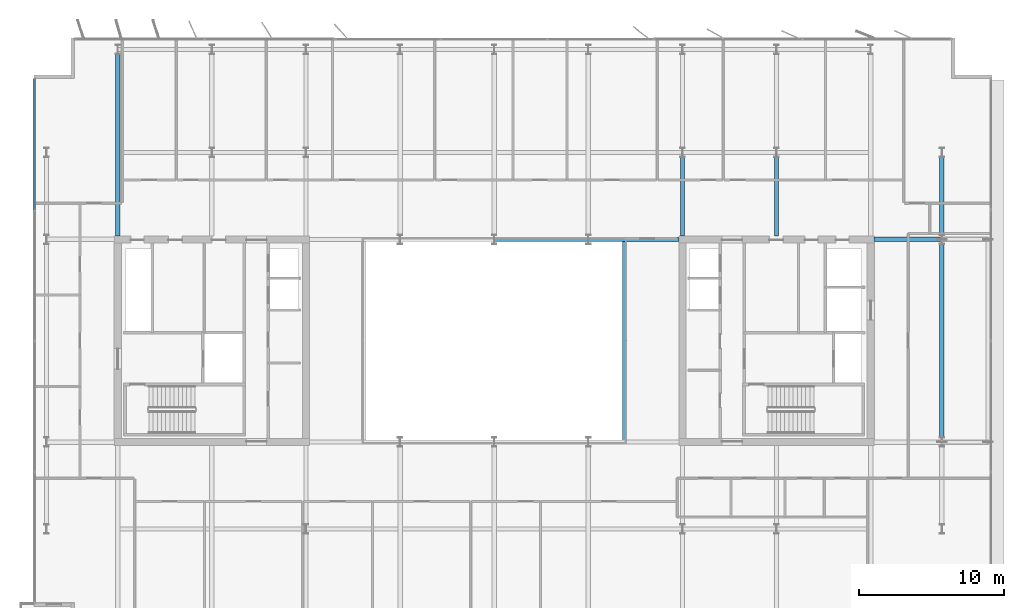
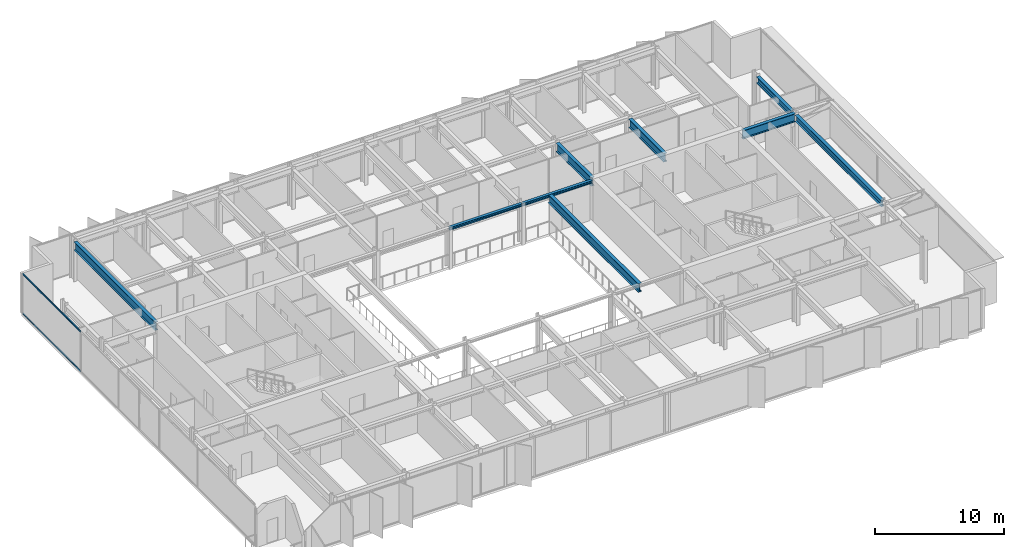
# One storey, part 7 of 20: 9 beams, 2 members, 1 element without a shape of its own.
"""IFC4 building model written with IfcOpenShell, lengths in metres."""

from ifc_helpers import new_model, si_unit, direction, frame, origin, origin_2d, place, context, subcontext, project, spatial, rectangle, i_section, extrude, material, layer, layer_set, material_profile, profile_set, type_object, element, aggregate, save


model = new_model("IFC4")

# Units and contexts
model_context = context("Model", 3, precision=1e-05, world=origin(), true_north=direction((0.0, 1.0)))
body_context = subcontext(model_context, "Body", "Model", "MODEL_VIEW")
ifc_project = project(units=[si_unit("LENGTHUNIT", "METRE"), si_unit("AREAUNIT", "SQUARE_METRE"), si_unit("VOLUMEUNIT", "CUBIC_METRE"), si_unit("PLANEANGLEUNIT", "RADIAN"), si_unit("MASSUNIT", "GRAM", prefix="KILO")], contexts=[model_context])

# Site, building, storey
site_placement = place(None, origin())
site = spatial("IfcSite", under=ifc_project, at=site_placement, CompositionType="ELEMENT")
building_placement = place(site_placement, origin())
building = spatial("IfcBuilding", under=site, at=building_placement, Name="Putna Gate Headquarters", CompositionType="ELEMENT")
storey_placement = place(building_placement, frame((0.0, 0.0, 290.39990234375)))
storey = spatial("IfcBuildingStorey", under=building, at=storey_placement, Name="L73", CompositionType="ELEMENT", Elevation=290.39990234375)

# Beams
ifc_material_1 = material(Name="Steel S355J2", Category="steel")
ifc_material_profile_1 = material_profile(ifc_material_1, i_section(OverallWidth=0.260009765625, OverallDepth=0.260009765625, WebThickness=0.010009765625, FlangeThickness=0.017578125, at=origin_2d()), Name="Steel S355J2")
ifc_profile_set_1 = profile_set([ifc_material_profile_1], Name="Steel S355J2")
beam_type_1 = type_object("IfcBeamType", Name="BM-ATRIUM-HEB260", PredefinedType="BEAM", material=ifc_profile_set_1)
beam_1_placement = place(storey_placement, frame((39.006103515625, 33.0, 3.658203125), z_axis=(1.0, 0.0, 0.0), x_axis=(0.0, 1.0, 0.0)))
element("IfcBeam", 1, at=beam_1_placement, inside=storey, type_object=beam_type_1, Name="L73 Atrium Edge Beam AN3", PredefinedType="BEAM", context=body_context, shape_type="SweptSolid", body=[
    extrude(i_section(OverallWidth=0.260009765625, OverallDepth=0.260009765625, WebThickness=0.010009765625, FlangeThickness=0.017578125, at=origin_2d()), origin(), (0.0, 0.0, 1.0), 6.48779296875),
])
beam_2_placement = place(storey_placement, frame((45.506103515625, 33.0, 3.658203125), z_axis=(1.0, 0.0, 0.0), x_axis=(0.0, 1.0, 0.0)))
element("IfcBeam", 2, at=beam_2_placement, inside=storey, type_object=beam_type_1, Name="L73 Atrium Edge Beam AN4", PredefinedType="BEAM", context=body_context, shape_type="SweptSolid", body=[
    extrude(i_section(OverallWidth=0.260009765625, OverallDepth=0.260009765625, WebThickness=0.010009765625, FlangeThickness=0.017578125, at=origin_2d()), origin(), (0.0, 0.0, 1.0), 6.2587890625),
])
ifc_material_profile_2 = material_profile(ifc_material_1, i_section(OverallWidth=0.300048828125, OverallDepth=0.800048828125, WebThickness=0.017578125, FlangeThickness=0.032958984375, at=origin_2d()), Name="Steel S355J2")
ifc_profile_set_2 = profile_set([ifc_material_profile_2], Name="Steel S355J2")
beam_type_2 = type_object("IfcBeamType", Name="BM-GIRD-P-HEB800", PredefinedType="USERDEFINED", material=ifc_profile_set_2)
beam_3_placement = place(storey_placement, frame((65.235107421875, 33.0, 3.38818359375), z_axis=(1.0, 0.0, 0.0), x_axis=(0.0, 1.0, 0.0)))
element("IfcBeam", 3, at=beam_3_placement, inside=storey, type_object=beam_type_2, Name="L73 East Wing Girder Y33", ObjectType="GIRDER", PredefinedType="USERDEFINED", context=body_context, shape_type="SweptSolid", body=[
    extrude(i_section(OverallWidth=0.300048828125, OverallDepth=0.800048828125, WebThickness=0.017578125, FlangeThickness=0.032958984375, at=origin_2d()), origin(), (0.0, 0.0, 1.0), 4.678955078125),
])
beam_4_placement = place(storey_placement, frame((13.0, 33.235107421875, 3.38818359375), z_axis=(0.0, 1.0, 0.0), x_axis=(-1.0, 0.0, 0.0)))
element("IfcBeam", 4, at=beam_4_placement, inside=storey, type_object=beam_type_2, Name="L73 North Primary Girder X13", ObjectType="GIRDER", PredefinedType="USERDEFINED", context=body_context, shape_type="SweptSolid", body=[
    extrude(i_section(OverallWidth=0.300048828125, OverallDepth=0.800048828125, WebThickness=0.017578125, FlangeThickness=0.032958984375, at=origin_2d()), origin(), (0.0, 0.0, 1.0), 12.56298828125),
])
for number, where, z_axis, x_axis, name in (
    (5, (52.0, 33.235107421875, 3.38818359375), (0.0, 1.0, 0.0), (-1.0, 0.0, 0.0), "L73 North Primary Girder X52-1"),
    (6, (58.5, 33.235107421875, 3.38818359375), (0.0, 1.0, 0.0), (-1.0, 0.0, 0.0), "L73 North Primary Girder X58-1"),
):
    element("IfcBeam", number, at=place(storey_placement, frame(where, z_axis=z_axis, x_axis=x_axis)), inside=storey, type_object=beam_type_2, Name=name, ObjectType="GIRDER", PredefinedType="USERDEFINED", context=body_context, shape_type="SweptSolid", body=[
        extrude(i_section(OverallWidth=0.300048828125, OverallDepth=0.800048828125, WebThickness=0.017578125, FlangeThickness=0.032958984375, at=origin_2d()), origin(), (0.0, 0.0, 1.0), 5.44287109375),
    ])
beam_5_placement = place(storey_placement, frame((48.0, 19.010009765625, 3.38818359375), z_axis=(0.0, 1.0, 0.0), x_axis=(-1.0, 0.0, 0.0)))
element("IfcBeam", 7, at=beam_5_placement, inside=storey, type_object=beam_type_2, Name="L73 Atrium Trim Girder AE", ObjectType="GIRDER", PredefinedType="USERDEFINED", context=body_context, shape_type="SweptSolid", body=[
    extrude(i_section(OverallWidth=0.300048828125, OverallDepth=0.800048828125, WebThickness=0.017578125, FlangeThickness=0.032958984375, at=origin_2d()), origin(), (0.0, 0.0, 1.0), 13.97998046875),
])
ifc_material_profile_3 = material_profile(ifc_material_1, i_section(OverallWidth=0.300048828125, OverallDepth=0.590087890625, WebThickness=0.012939453125, FlangeThickness=0.02490234375, at=origin_2d()), Name="Steel S355J2")
ifc_profile_set_3 = profile_set([ifc_material_profile_3], Name="Steel S355J2")
beam_type_3 = type_object("IfcBeamType", Name="BM-SPAN-Z4-HEA600", PredefinedType="SPANDREL", material=ifc_profile_set_3)
beam_6_placement = place(storey_placement, frame((69.919921875, 19.322021484375, 3.4931640625), z_axis=(0.0, 1.0, 0.0), x_axis=(-1.0, 0.0, 0.0)))
element("IfcBeam", 8, at=beam_6_placement, inside=storey, type_object=beam_type_3, Name="L73 E End Spandrel 2", PredefinedType="SPANDREL", context=body_context, shape_type="SweptSolid", body=[
    extrude(i_section(OverallWidth=0.300048828125, OverallDepth=0.590087890625, WebThickness=0.012939453125, FlangeThickness=0.02490234375, at=origin_2d()), origin(), (0.0, 0.0, 1.0), 13.35595703125),
])
beam_7_placement = place(storey_placement, frame((69.919921875, 33.322021484375, 3.4931640625), z_axis=(0.0, 1.0, 0.0), x_axis=(-1.0, 0.0, 0.0)))
element("IfcBeam", 9, at=beam_7_placement, inside=storey, type_object=beam_type_3, Name="L73 E End Spandrel 3", PredefinedType="SPANDREL", context=body_context, shape_type="SweptSolid", body=[
    extrude(i_section(OverallWidth=0.300048828125, OverallDepth=0.590087890625, WebThickness=0.012939453125, FlangeThickness=0.02490234375, at=origin_2d()), origin(), (0.0, 0.0, 1.0), 5.35595703125),
])

# Curtain wall, members
ifc_material_2 = material(Name="Anodised bronze aluminium curtain wall", Category="aluminium")
ifc_layer = layer(ifc_material_2, 0.179931640625)
ifc_layer_set = layer_set([ifc_layer], Name="Anodised bronze aluminium curtain wall")
curtain_wall_type = type_object("IfcCurtainWallType", Name="CW-SYS-Z5", PredefinedType="USERDEFINED", material=ifc_layer_set)
curtain_wall_placement = place(storey_placement, origin())
curtain_wall = element("IfcCurtainWall", 10, at=curtain_wall_placement, inside=storey, type_object=curtain_wall_type, Name="L73 West Curtain Wall", ObjectType="STICK CURTAIN WALL", PredefinedType="USERDEFINED")
ifc_material_3 = material(Name="Anodised bronze aluminium EN AW-6060", Category="aluminium")
ifc_material_profile_4 = material_profile(ifc_material_3, rectangle(XDim=0.06005859375, YDim=0.10009765625, at=origin_2d()), Name="Anodised bronze aluminium EN AW-6060")
ifc_profile_set_4 = profile_set([ifc_material_profile_4], Name="Anodised bronze aluminium EN AW-6060")
member_type = type_object("IfcMemberType", Name="TRAN-CWT-5", PredefinedType="USERDEFINED", material=ifc_profile_set_4)
member_1_placement = place(storey_placement, frame((7.280029296875, 35.0849609375, 0.030029296875), z_axis=(0.0, 1.0, 0.0), x_axis=(-1.0, 0.0, 0.0)))
member_1 = element("IfcMember", 11, at=member_1_placement, type_object=member_type, Name="CWS-5 transom 4.1", ObjectType="TRANSOM", PredefinedType="USERDEFINED", context=body_context, shape_type="SweptSolid", body=[
    extrude(rectangle(XDim=0.06005859375, YDim=0.10009765625, at=origin_2d()), origin(), (0.0, 0.0, 1.0), 8.945068359375),
])
member_2_placement = place(storey_placement, frame((7.280029296875, 35.0849609375, 3.758056640625), z_axis=(0.0, 1.0, 0.0), x_axis=(-1.0, 0.0, 0.0)))
member_2 = element("IfcMember", 12, at=member_2_placement, type_object=member_type, Name="CWS-5 transom 4.2", ObjectType="TRANSOM", PredefinedType="USERDEFINED", context=body_context, shape_type="SweptSolid", body=[
    extrude(rectangle(XDim=0.06005859375, YDim=0.10009765625, at=origin_2d()), origin(), (0.0, 0.0, 1.0), 8.945068359375),
])
aggregate(curtain_wall, [member_1, member_2])

save(model, "model.ifc")
